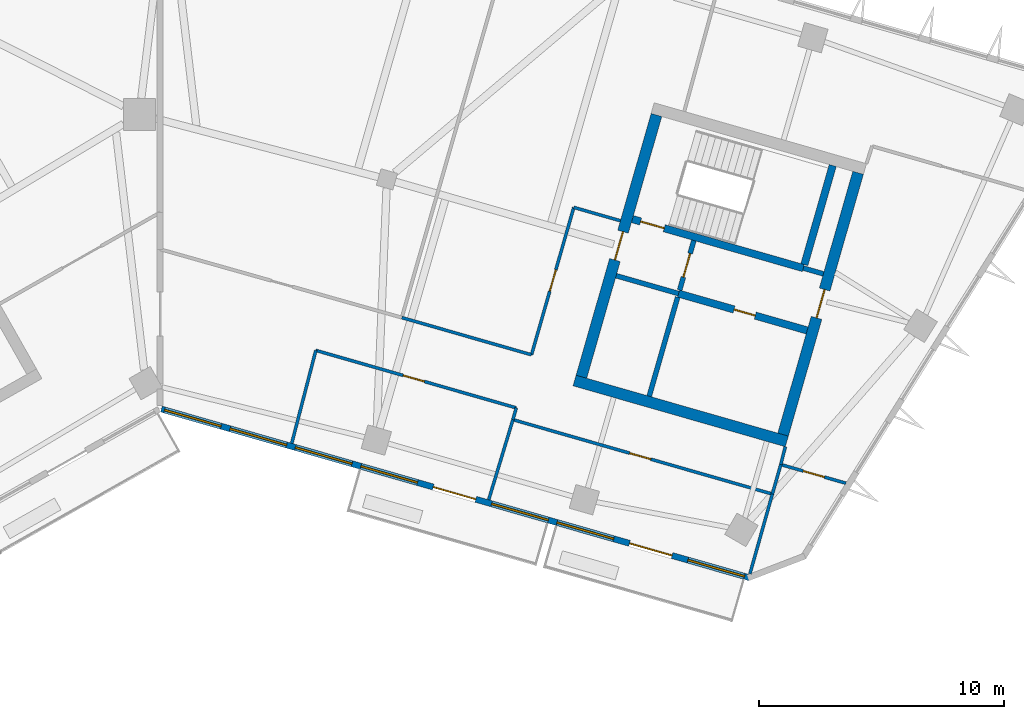
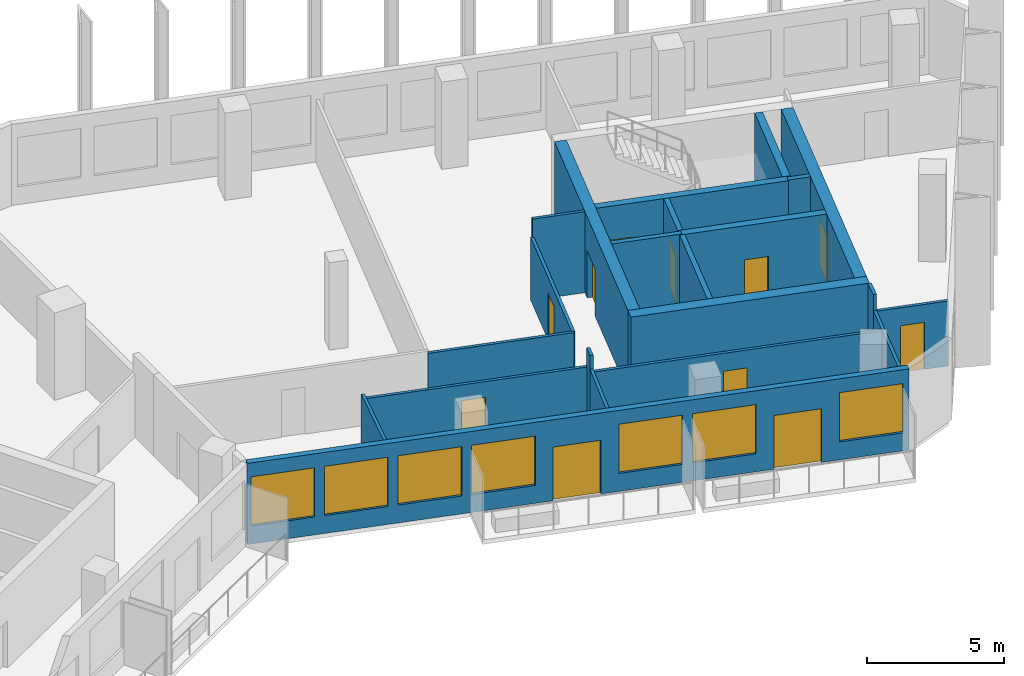
# One storey, part 7 of 12: 23 walls, 11 doors, 7 windows, 18 openings.
"""IFC4 building model written with IfcOpenShell, lengths in metres."""

from ifc_helpers import new_model, si_unit, direction, frame, frame_2d, origin, place, context, subcontext, project, spatial, rectangle, extrude, material, layer, layer_set, type_object, element, fill, save


model = new_model("IFC4")

# Units and contexts
model_context = context("Model", 3, precision=1e-05, world=origin(), true_north=direction((0.0, 1.0)))
body_context = subcontext(model_context, "Body", "Model", "MODEL_VIEW")
ifc_project = project(units=[si_unit("LENGTHUNIT", "METRE"), si_unit("AREAUNIT", "SQUARE_METRE"), si_unit("VOLUMEUNIT", "CUBIC_METRE"), si_unit("PLANEANGLEUNIT", "RADIAN"), si_unit("MASSUNIT", "GRAM", prefix="KILO")], contexts=[model_context])

# Site, building, storey
site_placement = place(None, origin())
site = spatial("IfcSite", under=ifc_project, at=site_placement, CompositionType="ELEMENT")
building_placement = place(site_placement, origin())
building = spatial("IfcBuilding", under=site, at=building_placement, Name="Binnacle Exchange Tower", CompositionType="ELEMENT")
storey_placement = place(building_placement, frame((0.0, 0.0, 238.699951171875)))
storey = spatial("IfcBuildingStorey", under=building, at=storey_placement, Name="L52", CompositionType="ELEMENT", Elevation=238.699951171875)

# Wall, opening, door
ifc_material_1 = material(Name="Concrete C70/85", Category="concrete")
ifc_layer_1 = layer(ifc_material_1, 0.300048828125)
ifc_layer_set_1 = layer_set([ifc_layer_1], Name="Core wall - front 300")
wall_type_1 = type_object("IfcWallType", Name="Core wall - front 300", PredefinedType="SOLIDWALL", material=ifc_layer_set_1)
wall_1_placement = place(storey_placement, frame((21.130859375, 52.6923828125, 0.0), z_axis=(0.0, 0.0, 1.0), x_axis=(0.961261488075, -0.275638080722, 0.0)))
wall_1 = element("IfcWall", 1, at=wall_1_placement, inside=storey, type_object=wall_type_1, Name="Core wall CRWD3", PredefinedType="SOLIDWALL", context=body_context, shape_type="SweptSolid", body=[
    extrude(rectangle(XDim=5.449951171875, YDim=0.300048828125, at=frame_2d((2.72509765625, 0.0))), origin(), (0.0, 0.0, 1.0), 3.6201171875),
])
opening_1_placement = place(wall_1_placement, frame((2.35009765625, 0.0, 0.0)))
opening_1 = element("IfcOpeningElement", 2, at=opening_1_placement, cuts=wall_1, Name="Opening DD10", PredefinedType="OPENING", context=body_context, shape_type="SweptSolid", body=[
    extrude(rectangle(XDim=0.89990234375, YDim=2.10009765625, at=frame_2d((0.449951171875, 1.050048828125))), frame((0.0, 0.159912109375, 0.0), z_axis=(0.0, -1.0, 0.0), x_axis=(1.0, 0.0, 0.0)), (0.0, 0.0, 1.0), 0.320068359375),
])
ifc_material_2 = material(Name="Steel door leaf", Category="steel")
door_type_1 = type_object("IfcDoorType", Name="Fire door 900", OperationType="NOTDEFINED", PredefinedType="DOOR", material=ifc_material_2)
door_1_placement = place(opening_1_placement, frame((0.89990234375, 0.0, 0.0), z_axis=(0.0, 0.0, 1.0), x_axis=(-1.0, 0.0, 0.0)))
door_1 = element("IfcDoor", 3, at=door_1_placement, inside=storey, type_object=door_type_1, Name="Core room door TELECOM RISER ROOM", OperationType="SINGLE_SWING_LEFT", OverallHeight=2.10009765625, OverallWidth=0.89990234375, PredefinedType="DOOR", context=body_context, shape_type="SweptSolid", body=[
    extrude(rectangle(XDim=0.89990234375, YDim=2.10009765625, at=frame_2d((0.449951171875, 1.050048828125))), frame((0.0, 0.02490234375, 0.0), z_axis=(0.0, -1.0, 0.0), x_axis=(1.0, 0.0, 0.0)), (0.0, 0.0, 1.0), 0.050048828125),
])
fill(opening_1, door_1)

# Wall
ifc_layer_2 = layer(ifc_material_1, 0.449951171875)
ifc_layer_set_2 = layer_set([ifc_layer_2], Name="Core wall - outer 450")
wall_type_2 = type_object("IfcWallType", Name="Core wall - outer 450", PredefinedType="SOLIDWALL", material=ifc_layer_set_2)
wall_2_placement = place(storey_placement, frame((16.889892578125, 49.149169921875, 0.0), z_axis=(0.0, 0.0, 1.0), x_axis=(0.96126248289, -0.275634611374, 0.0)))
element("IfcWall", 4, at=wall_2_placement, inside=storey, type_object=wall_type_2, Name="Core wall CRWD1", PredefinedType="SOLIDWALL", context=body_context, shape_type="SweptSolid", body=[
    extrude(rectangle(XDim=9.0, YDim=0.449951171875, at=frame_2d((4.5, 0.0))), origin(), (0.0, 0.0, 1.0), 3.6201171875),
])

# Wall, opening, door
wall_3_placement = place(storey_placement, frame((17.168212890625, 49.303466796875, 0.0), z_axis=(0.0, 0.0, 1.0), x_axis=(0.275638974822, 0.961261231695, 0.0)))
wall_3 = element("IfcWall", 5, at=wall_3_placement, inside=storey, type_object=wall_type_2, Name="Core wall CRWD7", PredefinedType="SOLIDWALL", context=body_context, shape_type="SweptSolid", body=[
    extrude(rectangle(XDim=11.099853515625, YDim=0.449951171875, at=frame_2d((5.5498046875, 0.0))), origin(), (0.0, 0.0, 1.0), 3.6201171875),
])
opening_2_placement = place(wall_3_placement, frame((4.9501953125, 0.0, 0.0)))
opening_2 = element("IfcOpeningElement", 6, at=opening_2_placement, cuts=wall_3, Name="Opening DD5", PredefinedType="OPENING", context=body_context, shape_type="SweptSolid", body=[
    extrude(rectangle(XDim=1.199951171875, YDim=2.10009765625, at=frame_2d((0.60009765625, 1.050048828125))), frame((0.0, 0.23486328125, 0.0), z_axis=(0.0, -1.0, 0.0), x_axis=(1.0, 0.0, 0.0)), (0.0, 0.0, 1.0), 0.469970703125),
])
door_type_2 = type_object("IfcDoorType", Name="Fire door 1200", OperationType="NOTDEFINED", PredefinedType="DOOR", material=ifc_material_2)
door_2_placement = place(opening_2_placement, origin())
door_2 = element("IfcDoor", 7, at=door_2_placement, inside=storey, type_object=door_type_2, Name="Vestibule exit door VEST-W", OperationType="SINGLE_SWING_RIGHT", OverallHeight=2.10009765625, OverallWidth=1.199951171875, PredefinedType="DOOR", context=body_context, shape_type="SweptSolid", body=[
    extrude(rectangle(XDim=1.199951171875, YDim=2.10009765625, at=frame_2d((0.60009765625, 1.050048828125))), frame((0.0, 0.02490234375, 0.0), z_axis=(0.0, -1.0, 0.0), x_axis=(1.0, 0.0, 0.0)), (0.0, 0.0, 1.0), 0.050048828125),
])
fill(opening_2, door_2)

wall_4_placement = place(storey_placement, frame((25.386962890625, 46.94677734375, 0.0), z_axis=(0.0, 0.0, 1.0), x_axis=(0.275638974822, 0.961261231695, 0.0)))
wall_4 = element("IfcWall", 8, at=wall_4_placement, inside=storey, type_object=wall_type_2, Name="Core wall CRWD12", PredefinedType="SOLIDWALL", context=body_context, shape_type="SweptSolid", body=[
    extrude(rectangle(XDim=11.099853515625, YDim=0.449951171875, at=frame_2d((5.5498046875, 0.0))), origin(), (0.0, 0.0, 1.0), 3.6201171875),
])
opening_3_placement = place(wall_4_placement, frame((4.949951171875, 0.0, 0.0)))
opening_3 = element("IfcOpeningElement", 9, at=opening_3_placement, cuts=wall_4, Name="Opening DD6", PredefinedType="OPENING", context=body_context, shape_type="SweptSolid", body=[
    extrude(rectangle(XDim=1.199951171875, YDim=2.10009765625, at=frame_2d((0.60009765625, 1.050048828125))), frame((0.0, 0.23486328125, 0.0), z_axis=(0.0, -1.0, 0.0), x_axis=(1.0, 0.0, 0.0)), (0.0, 0.0, 1.0), 0.469970703125),
])
door_3_placement = place(opening_3_placement, frame((1.199951171875, 0.0, 0.0), z_axis=(0.0, 0.0, 1.0), x_axis=(-1.0, 0.0, 0.0)))
door_3 = element("IfcDoor", 10, at=door_3_placement, inside=storey, type_object=door_type_2, Name="Core passage exit door", OperationType="SINGLE_SWING_RIGHT", OverallHeight=2.10009765625, OverallWidth=1.199951171875, PredefinedType="DOOR", context=body_context, shape_type="SweptSolid", body=[
    extrude(rectangle(XDim=1.199951171875, YDim=2.10009765625, at=frame_2d((0.60009765625, 1.050048828125))), frame((0.0, 0.02490234375, 0.0), z_axis=(0.0, -1.0, 0.0), x_axis=(1.0, 0.0, 0.0)), (0.0, 0.0, 1.0), 0.050048828125),
])
fill(opening_3, door_3)

ifc_layer_3 = layer(ifc_material_1, 0.300048828125)
ifc_layer_set_3 = layer_set([ifc_layer_3], Name="Core wall - stair 300")
wall_type_3 = type_object("IfcWallType", Name="Core wall - stair 300", PredefinedType="SOLIDWALL", material=ifc_layer_set_3)
wall_5_placement = place(storey_placement, frame((19.2451171875, 55.72998046875, 0.0), z_axis=(0.0, 0.0, 1.0), x_axis=(0.961263007877, -0.275632780503, 0.0)))
wall_5 = element("IfcWall", 11, at=wall_5_placement, inside=storey, type_object=wall_type_3, Name="Core wall CRWD4", PredefinedType="SOLIDWALL", context=body_context, shape_type="SweptSolid", body=[
    extrude(rectangle(XDim=7.249755859375, YDim=0.300048828125, at=frame_2d((3.625, 0.0))), origin(), (0.0, 0.0, 1.0), 3.6201171875),
])
opening_4_placement = place(wall_5_placement, frame((0.35009765625, 0.0, 0.0)))
opening_4 = element("IfcOpeningElement", 12, at=opening_4_placement, cuts=wall_5, Name="Opening DD1", PredefinedType="OPENING", context=body_context, shape_type="SweptSolid", body=[
    extrude(rectangle(XDim=1.0, YDim=2.10009765625, at=frame_2d((0.5, 1.050048828125))), frame((0.0, 0.159912109375, 0.0), z_axis=(0.0, -1.0, 0.0), x_axis=(1.0, 0.0, 0.0)), (0.0, 0.0, 1.0), 0.320068359375),
])
door_type_3 = type_object("IfcDoorType", Name="Fire door 1000", OperationType="NOTDEFINED", PredefinedType="DOOR", material=ifc_material_2)
door_4_placement = place(opening_4_placement, origin())
door_4 = element("IfcDoor", 13, at=door_4_placement, inside=storey, type_object=door_type_3, Name="Stair door ST-D1", OperationType="SINGLE_SWING_LEFT", OverallHeight=2.10009765625, OverallWidth=1.0, PredefinedType="DOOR", context=body_context, shape_type="SweptSolid", body=[
    extrude(rectangle(XDim=1.0, YDim=2.10009765625, at=frame_2d((0.5, 1.050048828125))), frame((0.0, 0.02490234375, 0.0), z_axis=(0.0, -1.0, 0.0), x_axis=(1.0, 0.0, 0.0)), (0.0, 0.0, 1.0), 0.050048828125),
])
fill(opening_4, door_4)

# Wall
wall_6_placement = place(storey_placement, frame((26.255615234375, 53.875732421875, 0.0), z_axis=(0.0, 0.0, 1.0), x_axis=(0.275588560745, 0.96127568636, 0.0)))
element("IfcWall", 14, at=wall_6_placement, inside=storey, type_object=wall_type_3, Name="Core wall CRWD11", PredefinedType="SOLIDWALL", context=body_context, shape_type="SweptSolid", body=[
    extrude(rectangle(XDim=4.199951171875, YDim=0.300048828125, at=frame_2d((2.10009765625, 0.0))), origin(), (0.0, 0.0, 1.0), 3.6201171875),
])

# Wall, openings, doors, windows
ifc_material_3 = material(Name="Bronze aluminium cladding", Category="aluminium")
ifc_layer_4 = layer(ifc_material_3, 0.25)
ifc_layer_set_4 = layer_set([ifc_layer_4], Name="External wall - window wall 250")
wall_type_4 = type_object("IfcWallType", Name="External wall - window wall 250", PredefinedType="STANDARD", material=ifc_layer_set_4)
wall_7_placement = place(storey_placement, frame((24.034423828125, 41.108154296875, 0.0), z_axis=(0.0, 0.0, 1.0), x_axis=(-0.96126060691, 0.275641153683, 0.0)))
wall_7 = element("IfcWall", 15, at=wall_7_placement, inside=storey, type_object=wall_type_4, Name="External wall EW-G02 L52", PredefinedType="STANDARD", context=body_context, shape_type="SweptSolid", body=[
    extrude(rectangle(XDim=24.95068359375, YDim=0.25, at=frame_2d((12.475341796875, 0.0))), origin(), (0.0, 0.0, 1.0), 3.6201171875),
])
opening_5_placement = place(wall_7_placement, frame((22.416259765625, 0.0, 0.800048828125)))
opening_5 = element("IfcOpeningElement", 16, at=opening_5_placement, cuts=wall_7, Name="Opening WR1", PredefinedType="OPENING", context=body_context, shape_type="SweptSolid", body=[
    extrude(rectangle(XDim=2.39990234375, YDim=2.199951171875, at=frame_2d((1.199951171875, 1.10009765625))), frame((0.0, 0.135009765625, 0.0), z_axis=(0.0, -1.0, 0.0), x_axis=(1.0, 0.0, 0.0)), (0.0, 0.0, 1.0), 0.27001953125),
])
opening_6_placement = place(wall_7_placement, frame((19.642822265625, 0.0, 0.800048828125)))
opening_6 = element("IfcOpeningElement", 17, at=opening_6_placement, cuts=wall_7, Name="Opening WR1", PredefinedType="OPENING", context=body_context, shape_type="SweptSolid", body=[
    extrude(rectangle(XDim=2.39990234375, YDim=2.199951171875, at=frame_2d((1.199951171875, 1.10009765625))), frame((0.0, 0.135009765625, 0.0), z_axis=(0.0, -1.0, 0.0), x_axis=(1.0, 0.0, 0.0)), (0.0, 0.0, 1.0), 0.27001953125),
])
opening_7_placement = place(wall_7_placement, frame((16.869384765625, 0.0, 0.800048828125)))
opening_7 = element("IfcOpeningElement", 18, at=opening_7_placement, cuts=wall_7, Name="Opening WR1", PredefinedType="OPENING", context=body_context, shape_type="SweptSolid", body=[
    extrude(rectangle(XDim=2.39990234375, YDim=2.199951171875, at=frame_2d((1.199951171875, 1.10009765625))), frame((0.0, 0.135009765625, 0.0), z_axis=(0.0, -1.0, 0.0), x_axis=(1.0, 0.0, 0.0)), (0.0, 0.0, 1.0), 0.27001953125),
])
opening_8_placement = place(wall_7_placement, frame((14.095947265625, 0.0, 0.800048828125)))
opening_8 = element("IfcOpeningElement", 19, at=opening_8_placement, cuts=wall_7, Name="Opening WR1", PredefinedType="OPENING", context=body_context, shape_type="SweptSolid", body=[
    extrude(rectangle(XDim=2.39990234375, YDim=2.199951171875, at=frame_2d((1.199951171875, 1.10009765625))), frame((0.0, 0.135009765625, 0.0), z_axis=(0.0, -1.0, 0.0), x_axis=(1.0, 0.0, 0.0)), (0.0, 0.0, 1.0), 0.27001953125),
])
opening_9_placement = place(wall_7_placement, frame((11.622314453125, 0.0, 0.0)))
opening_9 = element("IfcOpeningElement", 20, at=opening_9_placement, cuts=wall_7, Name="Opening D-FS15-06", PredefinedType="OPENING", context=body_context, shape_type="SweptSolid", body=[
    extrude(rectangle(XDim=1.800048828125, YDim=2.39990234375, at=frame_2d((0.89990234375, 1.199951171875))), frame((0.0, 0.135009765625, 0.0), z_axis=(0.0, -1.0, 0.0), x_axis=(1.0, 0.0, 0.0)), (0.0, 0.0, 1.0), 0.27001953125),
])
opening_10_placement = place(wall_7_placement, frame((8.548828125, 0.0, 0.800048828125)))
opening_10 = element("IfcOpeningElement", 21, at=opening_10_placement, cuts=wall_7, Name="Opening WR1", PredefinedType="OPENING", context=body_context, shape_type="SweptSolid", body=[
    extrude(rectangle(XDim=2.39990234375, YDim=2.199951171875, at=frame_2d((1.199951171875, 1.10009765625))), frame((0.0, 0.135009765625, 0.0), z_axis=(0.0, -1.0, 0.0), x_axis=(1.0, 0.0, 0.0)), (0.0, 0.0, 1.0), 0.27001953125),
])
opening_11_placement = place(wall_7_placement, frame((5.775390625, 0.0, 0.800048828125)))
opening_11 = element("IfcOpeningElement", 22, at=opening_11_placement, cuts=wall_7, Name="Opening WR1", PredefinedType="OPENING", context=body_context, shape_type="SweptSolid", body=[
    extrude(rectangle(XDim=2.39990234375, YDim=2.199951171875, at=frame_2d((1.199951171875, 1.10009765625))), frame((0.0, 0.135009765625, 0.0), z_axis=(0.0, -1.0, 0.0), x_axis=(1.0, 0.0, 0.0)), (0.0, 0.0, 1.0), 0.27001953125),
])
opening_12_placement = place(wall_7_placement, frame((3.302001953125, 0.0, 0.0)))
opening_12 = element("IfcOpeningElement", 23, at=opening_12_placement, cuts=wall_7, Name="Opening D-FS15-07", PredefinedType="OPENING", context=body_context, shape_type="SweptSolid", body=[
    extrude(rectangle(XDim=1.800048828125, YDim=2.39990234375, at=frame_2d((0.89990234375, 1.199951171875))), frame((0.0, 0.135009765625, 0.0), z_axis=(0.0, -1.0, 0.0), x_axis=(1.0, 0.0, 0.0)), (0.0, 0.0, 1.0), 0.27001953125),
])
opening_13_placement = place(wall_7_placement, frame((0.228515625, 0.0, 0.800048828125)))
opening_13 = element("IfcOpeningElement", 24, at=opening_13_placement, cuts=wall_7, Name="Opening WR1", PredefinedType="OPENING", context=body_context, shape_type="SweptSolid", body=[
    extrude(rectangle(XDim=2.39990234375, YDim=2.199951171875, at=frame_2d((1.199951171875, 1.10009765625))), frame((0.0, 0.135009765625, 0.0), z_axis=(0.0, -1.0, 0.0), x_axis=(1.0, 0.0, 0.0)), (0.0, 0.0, 1.0), 0.27001953125),
])
ifc_material_4 = material(Name="Bronze anodised aluminium frame", Category="aluminium")
door_type_4 = type_object("IfcDoorType", Name="DB DOOR 1800x2400", OperationType="DOUBLE_DOOR_SINGLE_SWING", PredefinedType="DOOR", material=ifc_material_4)
door_5_placement = place(opening_9_placement, origin())
door_5 = element("IfcDoor", 25, at=door_5_placement, inside=storey, type_object=door_type_4, Name="Door D-FS15-06 L52", OperationType="DOUBLE_DOOR_SINGLE_SWING", OverallHeight=2.39990234375, OverallWidth=1.800048828125, PredefinedType="DOOR", context=body_context, shape_type="SweptSolid", body=[
    extrude(rectangle(XDim=1.800048828125, YDim=2.39990234375, at=frame_2d((0.89990234375, 1.199951171875))), frame((0.0, 0.02490234375, 0.0), z_axis=(0.0, -1.0, 0.0), x_axis=(1.0, 0.0, 0.0)), (0.0, 0.0, 1.0), 0.050048828125),
])
fill(opening_9, door_5)
door_6_placement = place(opening_12_placement, origin())
door_6 = element("IfcDoor", 26, at=door_6_placement, inside=storey, type_object=door_type_4, Name="Door D-FS15-07 L52", OperationType="DOUBLE_DOOR_SINGLE_SWING", OverallHeight=2.39990234375, OverallWidth=1.800048828125, PredefinedType="DOOR", context=body_context, shape_type="SweptSolid", body=[
    extrude(rectangle(XDim=1.800048828125, YDim=2.39990234375, at=frame_2d((0.89990234375, 1.199951171875))), frame((0.0, 0.02490234375, 0.0), z_axis=(0.0, -1.0, 0.0), x_axis=(1.0, 0.0, 0.0)), (0.0, 0.0, 1.0), 0.050048828125),
])
fill(opening_12, door_6)
window_type = type_object("IfcWindowType", Name="WR1 WINDOW 2400x2200", PartitioningType="SINGLE_PANEL", PredefinedType="WINDOW", material=ifc_material_4)
window_1_placement = place(opening_5_placement, origin())
window_1 = element("IfcWindow", 27, at=window_1_placement, inside=storey, type_object=window_type, Name="Window WR1 L52", OverallHeight=2.199951171875, OverallWidth=2.39990234375, PartitioningType="SINGLE_PANEL", PredefinedType="WINDOW", context=body_context, shape_type="SweptSolid", body=[
    extrude(rectangle(XDim=2.39990234375, YDim=2.199951171875, at=frame_2d((1.199951171875, 1.10009765625))), frame((0.0, 0.030029296875, 0.0), z_axis=(0.0, -1.0, 0.0), x_axis=(1.0, 0.0, 0.0)), (0.0, 0.0, 1.0), 0.06005859375),
])
fill(opening_5, window_1)
window_2_placement = place(opening_6_placement, origin())
window_2 = element("IfcWindow", 28, at=window_2_placement, inside=storey, type_object=window_type, Name="Window WR1 L52", OverallHeight=2.199951171875, OverallWidth=2.39990234375, PartitioningType="SINGLE_PANEL", PredefinedType="WINDOW", context=body_context, shape_type="SweptSolid", body=[
    extrude(rectangle(XDim=2.39990234375, YDim=2.199951171875, at=frame_2d((1.199951171875, 1.10009765625))), frame((0.0, 0.030029296875, 0.0), z_axis=(0.0, -1.0, 0.0), x_axis=(1.0, 0.0, 0.0)), (0.0, 0.0, 1.0), 0.06005859375),
])
fill(opening_6, window_2)
window_3_placement = place(opening_7_placement, origin())
window_3 = element("IfcWindow", 29, at=window_3_placement, inside=storey, type_object=window_type, Name="Window WR1 L52", OverallHeight=2.199951171875, OverallWidth=2.39990234375, PartitioningType="SINGLE_PANEL", PredefinedType="WINDOW", context=body_context, shape_type="SweptSolid", body=[
    extrude(rectangle(XDim=2.39990234375, YDim=2.199951171875, at=frame_2d((1.199951171875, 1.10009765625))), frame((0.0, 0.030029296875, 0.0), z_axis=(0.0, -1.0, 0.0), x_axis=(1.0, 0.0, 0.0)), (0.0, 0.0, 1.0), 0.06005859375),
])
fill(opening_7, window_3)
window_4_placement = place(opening_8_placement, origin())
window_4 = element("IfcWindow", 30, at=window_4_placement, inside=storey, type_object=window_type, Name="Window WR1 L52", OverallHeight=2.199951171875, OverallWidth=2.39990234375, PartitioningType="SINGLE_PANEL", PredefinedType="WINDOW", context=body_context, shape_type="SweptSolid", body=[
    extrude(rectangle(XDim=2.39990234375, YDim=2.199951171875, at=frame_2d((1.199951171875, 1.10009765625))), frame((0.0, 0.030029296875, 0.0), z_axis=(0.0, -1.0, 0.0), x_axis=(1.0, 0.0, 0.0)), (0.0, 0.0, 1.0), 0.06005859375),
])
fill(opening_8, window_4)
window_5_placement = place(opening_10_placement, origin())
window_5 = element("IfcWindow", 31, at=window_5_placement, inside=storey, type_object=window_type, Name="Window WR1 L52", OverallHeight=2.199951171875, OverallWidth=2.39990234375, PartitioningType="SINGLE_PANEL", PredefinedType="WINDOW", context=body_context, shape_type="SweptSolid", body=[
    extrude(rectangle(XDim=2.39990234375, YDim=2.199951171875, at=frame_2d((1.199951171875, 1.10009765625))), frame((0.0, 0.030029296875, 0.0), z_axis=(0.0, -1.0, 0.0), x_axis=(1.0, 0.0, 0.0)), (0.0, 0.0, 1.0), 0.06005859375),
])
fill(opening_10, window_5)
window_6_placement = place(opening_11_placement, origin())
window_6 = element("IfcWindow", 32, at=window_6_placement, inside=storey, type_object=window_type, Name="Window WR1 L52", OverallHeight=2.199951171875, OverallWidth=2.39990234375, PartitioningType="SINGLE_PANEL", PredefinedType="WINDOW", context=body_context, shape_type="SweptSolid", body=[
    extrude(rectangle(XDim=2.39990234375, YDim=2.199951171875, at=frame_2d((1.199951171875, 1.10009765625))), frame((0.0, 0.030029296875, 0.0), z_axis=(0.0, -1.0, 0.0), x_axis=(1.0, 0.0, 0.0)), (0.0, 0.0, 1.0), 0.06005859375),
])
fill(opening_11, window_6)
window_7_placement = place(opening_13_placement, origin())
window_7 = element("IfcWindow", 33, at=window_7_placement, inside=storey, type_object=window_type, Name="Window WR1 L52", OverallHeight=2.199951171875, OverallWidth=2.39990234375, PartitioningType="SINGLE_PANEL", PredefinedType="WINDOW", context=body_context, shape_type="SweptSolid", body=[
    extrude(rectangle(XDim=2.39990234375, YDim=2.199951171875, at=frame_2d((1.199951171875, 1.10009765625))), frame((0.0, 0.030029296875, 0.0), z_axis=(0.0, -1.0, 0.0), x_axis=(1.0, 0.0, 0.0)), (0.0, 0.0, 1.0), 0.06005859375),
])
fill(opening_13, window_7)

# Wall, opening, door
ifc_material_5 = material(Name="Masonry block wall", Category="masonry")
ifc_layer_5 = layer(ifc_material_5, 0.199951171875)
ifc_layer_set_5 = layer_set([ifc_layer_5], Name="Fire wall - vestibule 200")
wall_type_5 = type_object("IfcWallType", Name="Fire wall - vestibule 200", PredefinedType="PARTITIONING", material=ifc_layer_set_5)
wall_8_placement = place(storey_placement, frame((21.172119140625, 52.836669921875, 0.0), z_axis=(0.0, 0.0, 1.0), x_axis=(0.275657676022, 0.961255868981, 0.0)))
wall_8 = element("IfcWall", 34, at=wall_8_placement, inside=storey, type_object=wall_type_5, Name="Core wall CRWD9", PredefinedType="PARTITIONING", context=body_context, shape_type="SweptSolid", body=[
    extrude(rectangle(XDim=2.099853515625, YDim=0.199951171875, at=frame_2d((1.0498046875, 0.0))), origin(), (0.0, 0.0, 1.0), 3.6201171875),
])
opening_14_placement = place(wall_8_placement, frame((0.550048828125, 0.0, 0.0)))
opening_14 = element("IfcOpeningElement", 35, at=opening_14_placement, cuts=wall_8, Name="Opening DD3", PredefinedType="OPENING", context=body_context, shape_type="SweptSolid", body=[
    extrude(rectangle(XDim=1.0, YDim=2.10009765625, at=frame_2d((0.5, 1.050048828125))), frame((0.0, 0.10986328125, 0.0), z_axis=(0.0, -1.0, 0.0), x_axis=(1.0, 0.0, 0.0)), (0.0, 0.0, 1.0), 0.219970703125),
])
door_7_placement = place(opening_14_placement, origin())
door_7 = element("IfcDoor", 36, at=door_7_placement, inside=storey, type_object=door_type_3, Name="Vestibule door VEST-W", OperationType="SINGLE_SWING_RIGHT", OverallHeight=2.10009765625, OverallWidth=1.0, PredefinedType="DOOR", context=body_context, shape_type="SweptSolid", body=[
    extrude(rectangle(XDim=1.0, YDim=2.10009765625, at=frame_2d((0.5, 1.050048828125))), frame((0.0, 0.02490234375, 0.0), z_axis=(0.0, -1.0, 0.0), x_axis=(1.0, 0.0, 0.0)), (0.0, 0.0, 1.0), 0.050048828125),
])
fill(opening_14, door_7)

# Wall
ifc_material_6 = material(Name="Gypsum partition")
ifc_layer_6 = layer(ifc_material_6, 0.125)
ifc_layer_set_6 = layer_set([ifc_layer_6], Name="Partition 125")
wall_type_6 = type_object("IfcWallType", Name="Partition 125", PredefinedType="PARTITIONING", material=ifc_layer_set_6)
wall_9_placement = place(storey_placement, frame((5.363037109375, 46.592041015625, 0.0), z_axis=(0.0, 0.0, 1.0), x_axis=(0.250765055388, 0.968047977631, 0.0)))
element("IfcWall", 37, at=wall_9_placement, inside=storey, type_object=wall_type_6, Name="Partition W21", PredefinedType="PARTITIONING", context=body_context, shape_type="SweptSolid", body=[
    extrude(rectangle(XDim=3.911865234375, YDim=0.125, at=frame_2d((1.9560546875, 0.0))), origin(), (0.0, 0.0, 1.0), 2.988037109375),
])

# Wall, opening, door
wall_10_placement = place(storey_placement, frame((6.343994140625, 50.37890625, 0.0), z_axis=(0.0, 0.0, 1.0), x_axis=(0.961251402136, -0.275673252041, 0.0)))
wall_10 = element("IfcWall", 38, at=wall_10_placement, inside=storey, type_object=wall_type_6, Name="Partition W22", PredefinedType="PARTITIONING", context=body_context, shape_type="SweptSolid", body=[
    extrude(rectangle(XDim=8.499267578125, YDim=0.125, at=frame_2d((4.24951171875, 0.0))), origin(), (0.0, 0.0, 1.0), 2.800048828125),
])
opening_15_placement = place(wall_10_placement, frame((3.699951171875, 0.0, 0.0)))
opening_15 = element("IfcOpeningElement", 39, at=opening_15_placement, cuts=wall_10, Name="Opening DL52-08", PredefinedType="OPENING", context=body_context, shape_type="SweptSolid", body=[
    extrude(rectangle(XDim=0.89990234375, YDim=2.10009765625, at=frame_2d((0.449951171875, 1.050048828125))), frame((0.0, 0.072509765625, 0.0), z_axis=(0.0, -1.0, 0.0), x_axis=(1.0, 0.0, 0.0)), (0.0, 0.0, 1.0), 0.14501953125),
])
ifc_material_7 = material(Name="Timber door leaf", Category="wood")
door_type_5 = type_object("IfcDoorType", Name="Door 900", OperationType="NOTDEFINED", PredefinedType="DOOR", material=ifc_material_7)
door_8_placement = place(opening_15_placement, frame((0.89990234375, 0.0, 0.0), z_axis=(0.0, 0.0, 1.0), x_axis=(-1.0, 0.0, 0.0)))
door_8 = element("IfcDoor", 40, at=door_8_placement, inside=storey, type_object=door_type_5, Name="Door DL52-08", OperationType="SINGLE_SWING_RIGHT", OverallHeight=2.10009765625, OverallWidth=0.89990234375, PredefinedType="DOOR", context=body_context, shape_type="SweptSolid", body=[
    extrude(rectangle(XDim=0.89990234375, YDim=2.10009765625, at=frame_2d((0.449951171875, 1.050048828125))), frame((0.0, 0.02490234375, 0.0), z_axis=(0.0, -1.0, 0.0), x_axis=(1.0, 0.0, 0.0)), (0.0, 0.0, 1.0), 0.050048828125),
])
fill(opening_15, door_8)

# Walls
wall_11_placement = place(storey_placement, frame((9.847900390625, 51.715087890625, 0.0), z_axis=(0.0, 0.0, 1.0), x_axis=(0.961258850611, -0.275647278458, 0.0)))
element("IfcWall", 41, at=wall_11_placement, inside=storey, type_object=wall_type_6, Name="Partition W24", PredefinedType="PARTITIONING", context=body_context, shape_type="SweptSolid", body=[
    extrude(rectangle(XDim=5.500244140625, YDim=0.125, at=frame_2d((2.75, 0.0))), origin(), (0.0, 0.0, 1.0), 2.800048828125),
])
wall_12_placement = place(storey_placement, frame((13.389892578125, 44.2900390625, 0.0), z_axis=(0.0, 0.0, 1.0), x_axis=(0.289389501276, 0.957211427299, 0.0)))
element("IfcWall", 42, at=wall_12_placement, inside=storey, type_object=wall_type_6, Name="Partition W25", PredefinedType="PARTITIONING", context=body_context, shape_type="SweptSolid", body=[
    extrude(rectangle(XDim=3.410888671875, YDim=0.125, at=frame_2d((1.70556640625, 0.0))), origin(), (0.0, 0.0, 1.0), 2.994140625),
])
wall_13_placement = place(storey_placement, frame((14.376953125, 47.554931640625, 0.0), z_axis=(0.0, 0.0, 1.0), x_axis=(0.273882785402, 0.961763078861, 0.0)))
element("IfcWall", 43, at=wall_13_placement, inside=storey, type_object=wall_type_6, Name="Partition W26", PredefinedType="PARTITIONING", context=body_context, shape_type="SweptSolid", body=[
    extrude(rectangle(XDim=0.5, YDim=0.125, at=frame_2d((0.25, 0.0))), origin(), (0.0, 0.0, 1.0), 3.6201171875),
])

# Wall, opening, door
wall_14_placement = place(storey_placement, frame((14.376953125, 47.554931640625, 0.0), z_axis=(0.0, 0.0, 1.0), x_axis=(0.961263044958, -0.275632651182, 0.0)))
wall_14 = element("IfcWall", 44, at=wall_14_placement, inside=storey, type_object=wall_type_6, Name="Partition W27", PredefinedType="PARTITIONING", context=body_context, shape_type="SweptSolid", body=[
    extrude(rectangle(XDim=11.0, YDim=0.125, at=frame_2d((5.5, 0.0))), origin(), (0.0, 0.0, 1.0), 2.900146484375),
])
opening_16_placement = place(wall_14_placement, frame((4.949951171875, 0.0, 0.0)))
opening_16 = element("IfcOpeningElement", 45, at=opening_16_placement, cuts=wall_14, Name="Opening DL52-09", PredefinedType="OPENING", context=body_context, shape_type="SweptSolid", body=[
    extrude(rectangle(XDim=0.89990234375, YDim=2.10009765625, at=frame_2d((0.449951171875, 1.050048828125))), frame((0.0, 0.072509765625, 0.0), z_axis=(0.0, -1.0, 0.0), x_axis=(1.0, 0.0, 0.0)), (0.0, 0.0, 1.0), 0.14501953125),
])
door_9_placement = place(opening_16_placement, frame((0.89990234375, 0.0, 0.0), z_axis=(0.0, 0.0, 1.0), x_axis=(-1.0, 0.0, 0.0)))
door_9 = element("IfcDoor", 46, at=door_9_placement, inside=storey, type_object=door_type_5, Name="Door DL52-09", OperationType="SINGLE_SWING_RIGHT", OverallHeight=2.10009765625, OverallWidth=0.89990234375, PredefinedType="DOOR", context=body_context, shape_type="SweptSolid", body=[
    extrude(rectangle(XDim=0.89990234375, YDim=2.10009765625, at=frame_2d((0.449951171875, 1.050048828125))), frame((0.0, 0.02490234375, 0.0), z_axis=(0.0, -1.0, 0.0), x_axis=(1.0, 0.0, 0.0)), (0.0, 0.0, 1.0), 0.050048828125),
])
fill(opening_16, door_9)

wall_15_placement = place(storey_placement, frame((15.135009765625, 50.198974609375, 0.0), z_axis=(0.0, 0.0, 1.0), x_axis=(0.275551788837, 0.961286227753, 0.0)))
wall_15 = element("IfcWall", 47, at=wall_15_placement, inside=storey, type_object=wall_type_6, Name="Partition W28", PredefinedType="PARTITIONING", context=body_context, shape_type="SweptSolid", body=[
    extrude(rectangle(XDim=6.2490234375, YDim=0.125, at=frame_2d((3.12451171875, 0.0))), origin(), (0.0, 0.0, 1.0), 2.800048828125),
])
opening_17_placement = place(wall_15_placement, frame((2.699951171875, 0.0, 0.0)))
opening_17 = element("IfcOpeningElement", 48, at=opening_17_placement, cuts=wall_15, Name="Opening DL52-07", PredefinedType="OPENING", context=body_context, shape_type="SweptSolid", body=[
    extrude(rectangle(XDim=0.89990234375, YDim=2.10009765625, at=frame_2d((0.449951171875, 1.050048828125))), frame((0.0, 0.072509765625, 0.0), z_axis=(0.0, -1.0, 0.0), x_axis=(1.0, 0.0, 0.0)), (0.0, 0.0, 1.0), 0.14501953125),
])
door_10_placement = place(opening_17_placement, origin())
door_10 = element("IfcDoor", 49, at=door_10_placement, inside=storey, type_object=door_type_5, Name="Door DL52-07", OperationType="SINGLE_SWING_RIGHT", OverallHeight=2.10009765625, OverallWidth=0.89990234375, PredefinedType="DOOR", context=body_context, shape_type="SweptSolid", body=[
    extrude(rectangle(XDim=0.89990234375, YDim=2.10009765625, at=frame_2d((0.449951171875, 1.050048828125))), frame((0.0, 0.02490234375, 0.0), z_axis=(0.0, -1.0, 0.0), x_axis=(1.0, 0.0, 0.0)), (0.0, 0.0, 1.0), 0.050048828125),
])
fill(opening_17, door_10)

# Walls
wall_16_placement = place(storey_placement, frame((16.85693359375, 56.2060546875, 0.0), z_axis=(0.0, 0.0, 1.0), x_axis=(0.961383985066, -0.275210525341, 0.0)))
element("IfcWall", 50, at=wall_16_placement, inside=storey, type_object=wall_type_6, Name="Partition W29", PredefinedType="PARTITIONING", context=body_context, shape_type="SweptSolid", body=[
    extrude(rectangle(XDim=1.9765625, YDim=0.125, at=frame_2d((0.98828125, 0.0))), origin(), (0.0, 0.0, 1.0), 3.6201171875),
])
wall_17_placement = place(storey_placement, frame((24.035888671875, 41.27001953125, 0.0), z_axis=(0.0, 0.0, 1.0), x_axis=(0.270787421954, 0.962639170256, 0.0)))
element("IfcWall", 51, at=wall_17_placement, inside=storey, type_object=wall_type_6, Name="Partition W31", PredefinedType="PARTITIONING", context=body_context, shape_type="SweptSolid", body=[
    extrude(rectangle(XDim=3.379150390625, YDim=0.125, at=frame_2d((1.689453125, 0.0))), origin(), (0.0, 0.0, 1.0), 2.900146484375),
])
wall_18_placement = place(storey_placement, frame((24.950927734375, 44.52294921875, 0.0), z_axis=(0.0, 0.0, 1.0), x_axis=(0.27510792265, 0.961413350695, 0.0)))
element("IfcWall", 52, at=wall_18_placement, inside=storey, type_object=wall_type_6, Name="Partition W32", PredefinedType="PARTITIONING", context=body_context, shape_type="SweptSolid", body=[
    extrude(rectangle(XDim=1.25048828125, YDim=0.125, at=frame_2d((0.625244140625, 0.0))), origin(), (0.0, 0.0, 1.0), 2.900146484375),
])
wall_19_placement = place(storey_placement, frame((25.294921875, 45.72509765625, 0.0), z_axis=(0.0, 0.0, 1.0), x_axis=(0.245522578998, 0.96939087225, 0.0)))
element("IfcWall", 53, at=wall_19_placement, inside=storey, type_object=wall_type_6, Name="Partition W33", PredefinedType="PARTITIONING", context=body_context, shape_type="SweptSolid", body=[
    extrude(rectangle(XDim=0.749755859375, YDim=0.125, at=frame_2d((0.375, 0.0))), origin(), (0.0, 0.0, 1.0), 3.6201171875),
])

# Wall, opening, door
wall_20_placement = place(storey_placement, frame((25.294921875, 45.72509765625, 0.0), z_axis=(0.0, 0.0, 1.0), x_axis=(0.961266594526, -0.275620271837, 0.0)))
wall_20 = element("IfcWall", 54, at=wall_20_placement, inside=storey, type_object=wall_type_6, Name="Partition W34", PredefinedType="PARTITIONING", context=body_context, shape_type="SweptSolid", body=[
    extrude(rectangle(XDim=2.760986328125, YDim=0.125, at=frame_2d((1.38037109375, 0.0))), origin(), (0.0, 0.0, 1.0), 2.900146484375),
])
opening_18_placement = place(wall_20_placement, frame((0.949951171875, 0.0, 0.0)))
opening_18 = element("IfcOpeningElement", 55, at=opening_18_placement, cuts=wall_20, Name="Opening DL52-11", PredefinedType="OPENING", context=body_context, shape_type="SweptSolid", body=[
    extrude(rectangle(XDim=0.89990234375, YDim=2.10009765625, at=frame_2d((0.449951171875, 1.050048828125))), frame((0.0, 0.072509765625, 0.0), z_axis=(0.0, -1.0, 0.0), x_axis=(1.0, 0.0, 0.0)), (0.0, 0.0, 1.0), 0.14501953125),
])
door_11_placement = place(opening_18_placement, frame((0.89990234375, 0.0, 0.0), z_axis=(0.0, 0.0, 1.0), x_axis=(-1.0, 0.0, 0.0)))
door_11 = element("IfcDoor", 56, at=door_11_placement, inside=storey, type_object=door_type_5, Name="Door DL52-11", OperationType="SINGLE_SWING_LEFT", OverallHeight=2.10009765625, OverallWidth=0.89990234375, PredefinedType="DOOR", context=body_context, shape_type="SweptSolid", body=[
    extrude(rectangle(XDim=0.89990234375, YDim=2.10009765625, at=frame_2d((0.449951171875, 1.050048828125))), frame((0.0, 0.02490234375, 0.0), z_axis=(0.0, -1.0, 0.0), x_axis=(1.0, 0.0, 0.0)), (0.0, 0.0, 1.0), 0.050048828125),
])
fill(opening_18, door_11)

# Walls
ifc_layer_7 = layer(ifc_material_5, 0.199951171875)
ifc_layer_set_7 = layer_set([ifc_layer_7], Name="Riser wall 200")
wall_type_7 = type_object("IfcWallType", Name="Riser wall 200", PredefinedType="SOLIDWALL", material=ifc_layer_set_7)
wall_21_placement = place(storey_placement, frame((18.58349609375, 53.4228515625, 0.0), z_axis=(0.0, 0.0, 1.0), x_axis=(0.961259287968, -0.275645753268, 0.0)))
element("IfcWall", 57, at=wall_21_placement, inside=storey, type_object=wall_type_7, Name="Core wall CRWD2", PredefinedType="SOLIDWALL", context=body_context, shape_type="SweptSolid", body=[
    extrude(rectangle(XDim=2.650146484375, YDim=0.199951171875, at=frame_2d((1.3251953125, 0.0))), origin(), (0.0, 0.0, 1.0), 3.6201171875),
])
wall_22_placement = place(storey_placement, frame((26.214111328125, 53.731689453125, 0.0), z_axis=(0.0, 0.0, 1.0), x_axis=(0.961241665642, -0.275707200184, 0.0)))
element("IfcWall", 58, at=wall_22_placement, inside=storey, type_object=wall_type_7, Name="Core wall CRWD5", PredefinedType="SOLIDWALL", context=body_context, shape_type="SweptSolid", body=[
    extrude(rectangle(XDim=0.85009765625, YDim=0.199951171875, at=frame_2d((0.425048828125, 0.0))), origin(), (0.0, 0.0, 1.0), 3.6201171875),
])
wall_23_placement = place(storey_placement, frame((19.931884765625, 48.510986328125, 0.0), z_axis=(0.0, 0.0, 1.0), x_axis=(0.275642273411, 0.961260285827, 0.0)))
element("IfcWall", 59, at=wall_23_placement, inside=storey, type_object=wall_type_7, Name="Core wall CRWD8", PredefinedType="SOLIDWALL", context=body_context, shape_type="SweptSolid", body=[
    extrude(rectangle(XDim=4.199951171875, YDim=0.199951171875, at=frame_2d((2.10009765625, 0.0))), origin(), (0.0, 0.0, 1.0), 3.6201171875),
])

save(model, "model.ifc")
